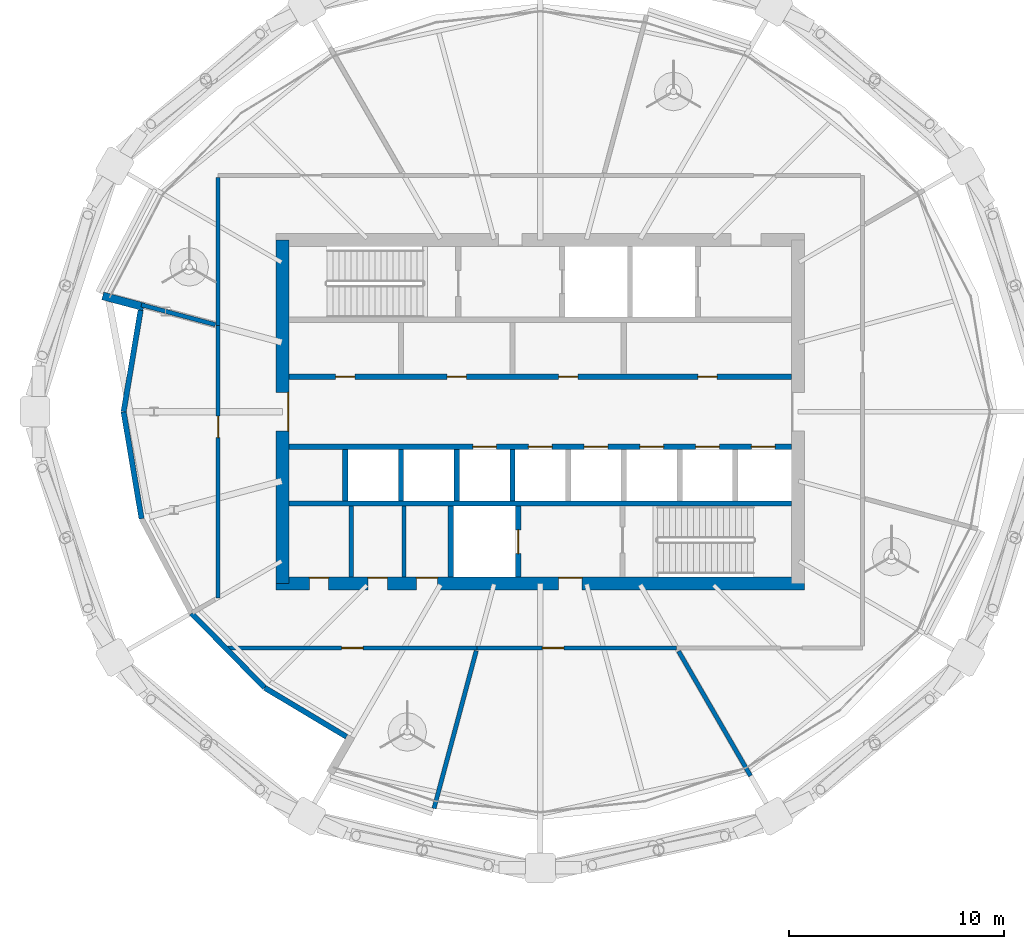
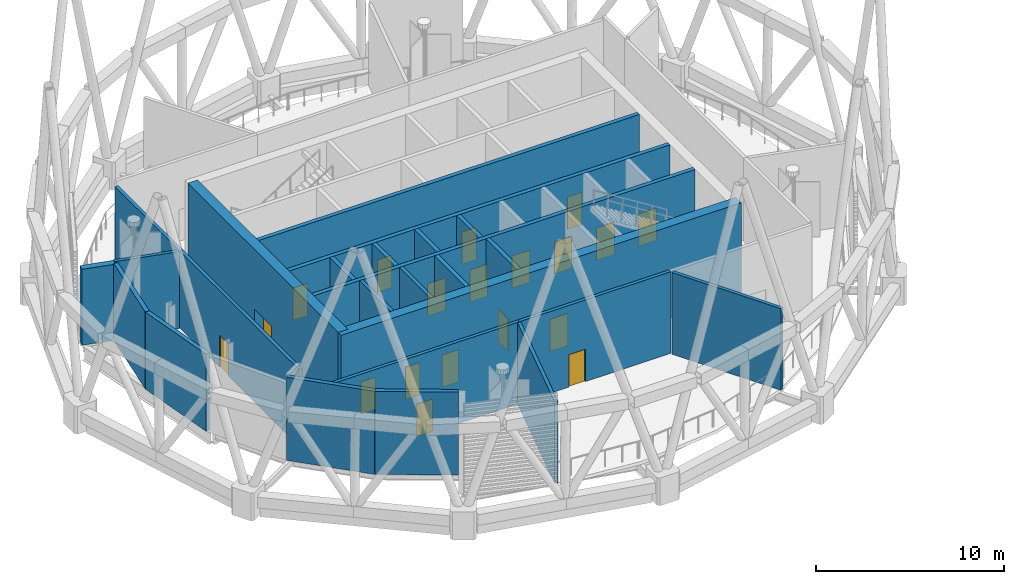
# One storey, part 10 of 22: 25 walls, 19 doors, 19 openings.
"""IFC4 building model written with IfcOpenShell, lengths in metres."""

from ifc_helpers import new_model, si_unit, direction, frame, frame_2d, origin, place, context, subcontext, project, spatial, rectangle, extrude, material, layer, layer_set, type_object, element, fill, save


model = new_model("IFC4")

# Units and contexts
model_context = context("Model", 3, precision=1e-05, world=origin(), true_north=direction((0.0, 1.0)))
body_context = subcontext(model_context, "Body", "Model", "MODEL_VIEW")
ifc_project = project(units=[si_unit("LENGTHUNIT", "METRE"), si_unit("AREAUNIT", "SQUARE_METRE"), si_unit("VOLUMEUNIT", "CUBIC_METRE"), si_unit("PLANEANGLEUNIT", "RADIAN"), si_unit("MASSUNIT", "GRAM", prefix="KILO")], contexts=[model_context])

# Site, building, storey
site_placement = place(None, origin())
site = spatial("IfcSite", under=ifc_project, at=site_placement, CompositionType="ELEMENT")
building_placement = place(site_placement, origin())
building = spatial("IfcBuilding", under=site, at=building_placement, Name="Rimbun Link Towers", CompositionType="ELEMENT")
storey_placement = place(building_placement, frame((0.0, 0.0, 204.5)))
storey = spatial("IfcBuildingStorey", under=building, at=storey_placement, Name="L50", CompositionType="ELEMENT", Elevation=204.5)

# Walls
ifc_material_1 = material(Name="Dark enamelled glass spandrel on insulated aluminium backpan", Category="aluminium")
ifc_layer_1 = layer(ifc_material_1, 0.25)
ifc_layer_set_1 = layer_set([ifc_layer_1], Name="CS dark enamelled spandrel wall 250")
wall_type_1 = type_object("IfcWallType", Name="CS dark enamelled spandrel wall 250", PredefinedType="STANDARD", material=ifc_layer_set_1)
wall_1_placement = place(storey_placement, frame((-51.1484375, 0.0, 0.0), z_axis=(0.0, 0.0, 1.0), x_axis=(0.165514123007, 0.98620741991, 0.0)))
element("IfcWall", 1, at=wall_1_placement, inside=storey, type_object=wall_type_1, Name="Crease spandrel wall", PredefinedType="STANDARD", context=body_context, shape_type="SweptSolid", body=[
    extrude(rectangle(XDim=4.79248046875, YDim=0.25, at=frame_2d((2.396240234375, 0.0))), origin(), (0.0, 0.0, 1.0), 5.00927734375),
])
wall_2_placement = place(storey_placement, frame((-50.312255859375, -4.982177734375, 0.0), z_axis=(0.0, 0.0, 1.0), x_axis=(-0.165519542221, 0.986206510394, 0.0)))
element("IfcWall", 2, at=wall_2_placement, inside=storey, type_object=wall_type_1, Name="Crease spandrel wall", PredefinedType="STANDARD", context=body_context, shape_type="SweptSolid", body=[
    extrude(rectangle(XDim=5.0517578125, YDim=0.25, at=frame_2d((2.52587890625, 0.0))), origin(), (0.0, 0.0, 1.0), 5.00927734375),
])
wall_3_placement = place(storey_placement, frame((-44.5810546875, -12.852294921875, 0.0), z_axis=(0.0, 0.0, 1.0), x_axis=(-0.700565408789, 0.713588192172, 0.0)))
element("IfcWall", 3, at=wall_3_placement, inside=storey, type_object=wall_type_1, Name="Crease spandrel wall", PredefinedType="STANDARD", context=body_context, shape_type="SweptSolid", body=[
    extrude(rectangle(XDim=4.85546875, YDim=0.25, at=frame_2d((2.427734375, 0.0))), origin(), (0.0, 0.0, 1.0), 5.396484375),
])
wall_4_placement = place(storey_placement, frame((-40.773681640625, -15.129638671875, 0.0), z_axis=(0.0, 0.0, 1.0), x_axis=(-0.858196185846, 0.513321835304, 0.0)))
element("IfcWall", 4, at=wall_4_placement, inside=storey, type_object=wall_type_1, Name="Crease spandrel wall", PredefinedType="STANDARD", context=body_context, shape_type="SweptSolid", body=[
    extrude(rectangle(XDim=4.4365234375, YDim=0.25, at=frame_2d((2.21826171875, 0.0))), origin(), (0.0, 0.0, 1.0), 5.396484375),
])
ifc_material_2 = material(Name="Dark enamelled glass spandrel on insulated aluminium backpan", Category="aluminium")
ifc_layer_2 = layer(ifc_material_2, 0.3701171875)
ifc_layer_set_2 = layer_set([ifc_layer_2], Name="CS dark enamelled spandrel wall 370")
wall_type_2 = type_object("IfcWallType", Name="CS dark enamelled spandrel wall 370", PredefinedType="STANDARD", material=ifc_layer_set_2)
wall_5_placement = place(storey_placement, frame((-50.209228515625, 4.87890625, 0.0), z_axis=(0.0, 0.0, 1.0), x_axis=(-0.965921079275, 0.258836760551, 0.0)))
element("IfcWall", 5, at=wall_5_placement, inside=storey, type_object=wall_type_2, Name="Crease spandrel wall", PredefinedType="STANDARD", context=body_context, shape_type="SweptSolid", body=[
    extrude(rectangle(XDim=1.979736328125, YDim=0.3701171875, at=frame_2d((0.98974609375, 0.0))), origin(), (0.0, 0.0, 1.0), 4.931640625),
])
ifc_material_3 = material(Name="Masonry blockwork", Category="masonry")
ifc_layer_3 = layer(ifc_material_3, 0.199951171875)
ifc_layer_set_3 = layer_set([ifc_layer_3], Name="Core partition 200")
wall_type_3 = type_object("IfcWallType", Name="Core partition 200", PredefinedType="PARTITIONING", material=ifc_layer_set_3)
for number, where, z_axis, x_axis, name in (
    (6, (-40.550048828125, -4.39990234375, 0.0), (0.0, 0.0, 1.0), (0.0, -1.0, 0.0), "L50 T1 core wall C1"),
    (7, (-38.10009765625, -4.39990234375, 0.0), (0.0, 0.0, 1.0), (0.0, -1.0, 0.0), "L50 T1 core wall C2"),
):
    element("IfcWall", number, at=place(storey_placement, frame(where, z_axis=z_axis, x_axis=x_axis)), inside=storey, type_object=wall_type_3, Name=name, PredefinedType="PARTITIONING", context=body_context, shape_type="SweptSolid", body=[
        extrude(rectangle(XDim=3.300048828125, YDim=0.199951171875, at=frame_2d((1.64990234375, 0.0))), origin(), (0.0, 0.0, 1.0), 6.0),
    ])

# Wall, openings, doors
ifc_material_4 = material(Name="Concrete C60/75", Category="concrete")
ifc_layer_4 = layer(ifc_material_4, 0.60009765625)
ifc_layer_set_4 = layer_set([ifc_layer_4], Name="Core shear wall 600")
wall_type_4 = type_object("IfcWallType", Name="Core shear wall 600", PredefinedType="SHEAR", material=ifc_layer_set_4)
wall_6_placement = place(storey_placement, frame((-44.050048828125, -8.0, 0.0), z_axis=(0.0, 0.0, 1.0), x_axis=(1.0, 0.0, 0.0)))
wall_6 = element("IfcWall", 8, at=wall_6_placement, inside=storey, type_object=wall_type_4, Name="L50 T1 core wall S", PredefinedType="SHEAR", context=body_context, shape_type="SweptSolid", body=[
    extrude(rectangle(XDim=24.60009765625, YDim=0.60009765625, at=frame_2d((12.300048828125, 0.0))), origin(), (0.0, 0.0, 1.0), 6.0),
])
opening_1_placement = place(wall_6_placement, frame((13.14990234375, 0.0, 0.0)))
opening_1 = element("IfcOpeningElement", 9, at=opening_1_placement, cuts=wall_6, Name="Opening C1DCF01S", PredefinedType="OPENING", context=body_context, shape_type="SweptSolid", body=[
    extrude(rectangle(XDim=1.10009765625, YDim=2.10009765625, at=frame_2d((0.550048828125, 1.050048828125))), frame((0.0, 0.31005859375, 0.0), z_axis=(0.0, -1.0, 0.0), x_axis=(1.0, 0.0, 0.0)), (0.0, 0.0, 1.0), 0.6201171875),
])
opening_2_placement = place(wall_6_placement, frame((1.550048828125, 0.0, 0.0)))
opening_2 = element("IfcOpeningElement", 10, at=opening_2_placement, cuts=wall_6, Name="Opening C1DWC02S", PredefinedType="OPENING", context=body_context, shape_type="SweptSolid", body=[
    extrude(rectangle(XDim=0.89990234375, YDim=2.10009765625, at=frame_2d((0.449951171875, 1.050048828125))), frame((0.0, 0.31005859375, 0.0), z_axis=(0.0, -1.0, 0.0), x_axis=(1.0, 0.0, 0.0)), (0.0, 0.0, 1.0), 0.6201171875),
])
opening_3_placement = place(wall_6_placement, frame((4.27490234375, 0.0, 0.0)))
opening_3 = element("IfcOpeningElement", 11, at=opening_3_placement, cuts=wall_6, Name="Opening C1DWC03S", PredefinedType="OPENING", context=body_context, shape_type="SweptSolid", body=[
    extrude(rectangle(XDim=0.89990234375, YDim=2.10009765625, at=frame_2d((0.449951171875, 1.050048828125))), frame((0.0, 0.31005859375, 0.0), z_axis=(0.0, -1.0, 0.0), x_axis=(1.0, 0.0, 0.0)), (0.0, 0.0, 1.0), 0.6201171875),
])
opening_4_placement = place(wall_6_placement, frame((6.52490234375, 0.0, 0.0)))
opening_4 = element("IfcOpeningElement", 12, at=opening_4_placement, cuts=wall_6, Name="Opening C1DAW04S", PredefinedType="OPENING", context=body_context, shape_type="SweptSolid", body=[
    extrude(rectangle(XDim=1.0, YDim=2.10009765625, at=frame_2d((0.5, 1.050048828125))), frame((0.0, 0.31005859375, 0.0), z_axis=(0.0, -1.0, 0.0), x_axis=(1.0, 0.0, 0.0)), (0.0, 0.0, 1.0), 0.6201171875),
])
ifc_material_5 = material(Name="Timber", Category="wood")
door_type_1 = type_object("IfcDoorType", Name="Accessible WC door", OperationType="SINGLE_SWING_LEFT", PredefinedType="DOOR", material=ifc_material_5)
door_1_placement = place(opening_4_placement, origin())
door_1 = element("IfcDoor", 13, at=door_1_placement, inside=storey, type_object=door_type_1, Name="L50 T1 accessible wc door", OperationType="SINGLE_SWING_RIGHT", OverallHeight=2.10009765625, OverallWidth=1.0, PredefinedType="DOOR", context=body_context, shape_type="SweptSolid", body=[
    extrude(rectangle(XDim=1.0, YDim=2.10009765625, at=frame_2d((0.5, 1.050048828125))), frame((0.0, 0.2998046875, 0.0), z_axis=(0.0, -1.0, 0.0), x_axis=(1.0, 0.0, 0.0)), (0.0, 0.0, 1.0), 0.050048828125),
])
fill(opening_4, door_1)
ifc_material_6 = material(Name="Steel fire door set", Category="steel")
door_type_2 = type_object("IfcDoorType", Name="Core fire door single", OperationType="SINGLE_SWING_LEFT", PredefinedType="DOOR", material=ifc_material_6)
door_2_placement = place(opening_1_placement, origin())
door_2 = element("IfcDoor", 14, at=door_2_placement, inside=storey, type_object=door_type_2, Name="L50 T1 firefighting lobby s door", OperationType="SINGLE_SWING_RIGHT", OverallHeight=2.10009765625, OverallWidth=1.10009765625, PredefinedType="DOOR", context=body_context, shape_type="SweptSolid", body=[
    extrude(rectangle(XDim=1.10009765625, YDim=2.10009765625, at=frame_2d((0.550048828125, 1.050048828125))), frame((0.0, 0.2998046875, 0.0), z_axis=(0.0, -1.0, 0.0), x_axis=(1.0, 0.0, 0.0)), (0.0, 0.0, 1.0), 0.050048828125),
])
fill(opening_1, door_2)
ifc_material_7 = material(Name="Timber", Category="wood")
door_type_3 = type_object("IfcDoorType", Name="WC door", OperationType="SINGLE_SWING_LEFT", PredefinedType="DOOR", material=ifc_material_7)
door_3_placement = place(opening_2_placement, origin())
door_3 = element("IfcDoor", 15, at=door_3_placement, inside=storey, type_object=door_type_3, Name="L50 T1 male wc door", OperationType="SINGLE_SWING_LEFT", OverallHeight=2.10009765625, OverallWidth=0.89990234375, PredefinedType="DOOR", context=body_context, shape_type="SweptSolid", body=[
    extrude(rectangle(XDim=0.89990234375, YDim=2.10009765625, at=frame_2d((0.449951171875, 1.050048828125))), frame((0.0, 0.2998046875, 0.0), z_axis=(0.0, -1.0, 0.0), x_axis=(1.0, 0.0, 0.0)), (0.0, 0.0, 1.0), 0.050048828125),
])
fill(opening_2, door_3)
door_4_placement = place(opening_3_placement, origin())
door_4 = element("IfcDoor", 16, at=door_4_placement, inside=storey, type_object=door_type_3, Name="L50 T1 female wc door", OperationType="SINGLE_SWING_RIGHT", OverallHeight=2.10009765625, OverallWidth=0.89990234375, PredefinedType="DOOR", context=body_context, shape_type="SweptSolid", body=[
    extrude(rectangle(XDim=0.89990234375, YDim=2.10009765625, at=frame_2d((0.449951171875, 1.050048828125))), frame((0.0, 0.2998046875, 0.0), z_axis=(0.0, -1.0, 0.0), x_axis=(1.0, 0.0, 0.0)), (0.0, 0.0, 1.0), 0.050048828125),
])
fill(opening_3, door_4)

# Wall, opening, door
wall_7_placement = place(storey_placement, frame((-43.75, -8.0, 0.0), z_axis=(0.0, 0.0, 1.0), x_axis=(0.0, 1.0, 0.0)))
wall_7 = element("IfcWall", 17, at=wall_7_placement, inside=storey, type_object=wall_type_4, Name="L50 T1 core wall W", PredefinedType="SHEAR", context=body_context, shape_type="SweptSolid", body=[
    extrude(rectangle(XDim=16.0, YDim=0.60009765625, at=frame_2d((8.0, 0.0))), origin(), (0.0, 0.0, 1.0), 6.0),
])
opening_5_placement = place(wall_7_placement, frame((7.10009765625, 0.0, 0.0)))
opening_5 = element("IfcOpeningElement", 18, at=opening_5_placement, cuts=wall_7, Name="Opening C1DCL01W", PredefinedType="OPENING", context=body_context, shape_type="SweptSolid", body=[
    extrude(rectangle(XDim=1.800048828125, YDim=2.10009765625, at=frame_2d((0.89990234375, 1.050048828125))), frame((0.0, 0.31005859375, 0.0), z_axis=(0.0, -1.0, 0.0), x_axis=(1.0, 0.0, 0.0)), (0.0, 0.0, 1.0), 0.6201171875),
])
ifc_material_8 = material(Name="Steel fire door set", Category="steel")
door_type_4 = type_object("IfcDoorType", Name="Core lobby door double", OperationType="DOUBLE_DOOR_SINGLE_SWING", PredefinedType="DOOR", material=ifc_material_8)
door_5_placement = place(opening_5_placement, origin())
door_5 = element("IfcDoor", 19, at=door_5_placement, inside=storey, type_object=door_type_4, Name="L50 T1 lift lobby door", OperationType="DOUBLE_DOOR_SINGLE_SWING", OverallHeight=2.10009765625, OverallWidth=1.800048828125, PredefinedType="DOOR", context=body_context, shape_type="SweptSolid", body=[
    extrude(rectangle(XDim=1.800048828125, YDim=2.10009765625, at=frame_2d((0.89990234375, 1.050048828125))), frame((0.0, -0.25, 0.0), z_axis=(0.0, -1.0, 0.0), x_axis=(1.0, 0.0, 0.0)), (0.0, 0.0, 1.0), 0.050048828125),
])
fill(opening_5, door_5)

ifc_material_9 = material(Name="Concrete blockwork", Category="masonry")
ifc_layer_5 = layer(ifc_material_9, 0.199951171875)
ifc_layer_set_5 = layer_set([ifc_layer_5], Name="Fire partition 200 blockwork")
wall_type_5 = type_object("IfcWallType", Name="Fire partition 200 blockwork", PredefinedType="PARTITIONING", material=ifc_layer_set_5)
wall_8_placement = place(storey_placement, frame((-46.304443359375, -11.0, 0.0), z_axis=(0.0, 0.0, 1.0), x_axis=(1.0, 0.0, 0.0)))
wall_8 = element("IfcWall", 20, at=wall_8_placement, inside=storey, type_object=wall_type_5, Name="TW/PW/L50/001", PredefinedType="PARTITIONING", context=body_context, shape_type="SweptSolid", body=[
    extrude(rectangle(XDim=11.60693359375, YDim=0.199951171875, at=frame_2d((5.803466796875, 0.0))), origin(), (0.0, 0.0, 1.0), 5.306884765625),
])
opening_6_placement = place(wall_8_placement, frame((5.302978515625, 0.0, 0.0)))
opening_6 = element("IfcOpeningElement", 21, at=opening_6_placement, cuts=wall_8, Name="Opening TW D50.01", PredefinedType="OPENING", context=body_context, shape_type="SweptSolid", body=[
    extrude(rectangle(XDim=1.0, YDim=2.10009765625, at=frame_2d((0.5, 1.050048828125))), frame((0.0, 0.10986328125, 0.0), z_axis=(0.0, -1.0, 0.0), x_axis=(1.0, 0.0, 0.0)), (0.0, 0.0, 1.0), 0.219970703125),
])
ifc_material_10 = material(Name="Steel fire door set", Category="steel")
door_type_5 = type_object("IfcDoorType", Name="Fire door single leaf 1000 x 2100", OperationType="NOTDEFINED", PredefinedType="DOOR", material=ifc_material_10)
door_6_placement = place(opening_6_placement, origin())
door_6 = element("IfcDoor", 22, at=door_6_placement, inside=storey, type_object=door_type_5, Name="TW/DR/L50/001", OperationType="SINGLE_SWING_RIGHT", OverallHeight=2.10009765625, OverallWidth=1.0, PredefinedType="DOOR", context=body_context, shape_type="SweptSolid", body=[
    extrude(rectangle(XDim=1.0, YDim=2.10009765625, at=frame_2d((0.5, 1.050048828125))), frame((0.0, 0.02490234375, 0.0), z_axis=(0.0, -1.0, 0.0), x_axis=(1.0, 0.0, 0.0)), (0.0, 0.0, 1.0), 0.050048828125),
])
fill(opening_6, door_6)

wall_9_placement = place(storey_placement, frame((-34.697509765625, -11.0, 0.0), z_axis=(0.0, 0.0, 1.0), x_axis=(1.0, 0.0, 0.0)))
wall_9 = element("IfcWall", 23, at=wall_9_placement, inside=storey, type_object=wall_type_5, Name="TW/PW/L50/002", PredefinedType="PARTITIONING", context=body_context, shape_type="SweptSolid", body=[
    extrude(rectangle(XDim=9.29833984375, YDim=0.199951171875, at=frame_2d((4.649169921875, 0.0))), origin(), (0.0, 0.0, 1.0), 5.306884765625),
])
opening_7_placement = place(wall_9_placement, frame((3.0390625, 0.0, 0.0)))
opening_7 = element("IfcOpeningElement", 24, at=opening_7_placement, cuts=wall_9, Name="Opening TW D50.02", PredefinedType="OPENING", context=body_context, shape_type="SweptSolid", body=[
    extrude(rectangle(XDim=1.0, YDim=2.10009765625, at=frame_2d((0.5, 1.050048828125))), frame((0.0, 0.10986328125, 0.0), z_axis=(0.0, -1.0, 0.0), x_axis=(1.0, 0.0, 0.0)), (0.0, 0.0, 1.0), 0.219970703125),
])
door_7_placement = place(opening_7_placement, origin())
door_7 = element("IfcDoor", 25, at=door_7_placement, inside=storey, type_object=door_type_5, Name="TW/DR/L50/002", OperationType="SINGLE_SWING_LEFT", OverallHeight=2.10009765625, OverallWidth=1.0, PredefinedType="DOOR", context=body_context, shape_type="SweptSolid", body=[
    extrude(rectangle(XDim=1.0, YDim=2.10009765625, at=frame_2d((0.5, 1.050048828125))), frame((0.0, 0.02490234375, 0.0), z_axis=(0.0, -1.0, 0.0), x_axis=(1.0, 0.0, 0.0)), (0.0, 0.0, 1.0), 0.050048828125),
])
fill(opening_7, door_7)

# Wall
wall_10_placement = place(storey_placement, frame((-46.75, 10.89990234375, 0.0), z_axis=(0.0, 0.0, 1.0), x_axis=(0.0, -1.0, 0.0)))
element("IfcWall", 26, at=wall_10_placement, inside=storey, type_object=wall_type_5, Name="TW/PW/L50/010", PredefinedType="PARTITIONING", context=body_context, shape_type="SweptSolid", body=[
    extrude(rectangle(XDim=6.880615234375, YDim=0.199951171875, at=frame_2d((3.4404296875, 0.0))), origin(), (0.0, 0.0, 1.0), 4.9990234375),
])

# Wall, opening, door
wall_11_placement = place(storey_placement, frame((-46.75, 4.019287109375, 0.0), z_axis=(0.0, 0.0, 1.0), x_axis=(0.0, -1.0, 0.0)))
wall_11 = element("IfcWall", 27, at=wall_11_placement, inside=storey, type_object=wall_type_5, Name="TW/PW/L50/011", PredefinedType="PARTITIONING", context=body_context, shape_type="SweptSolid", body=[
    extrude(rectangle(XDim=12.6796875, YDim=0.199951171875, at=frame_2d((6.33984375, 0.0))), origin(), (0.0, 0.0, 1.0), 4.9990234375),
])
opening_8_placement = place(wall_11_placement, frame((4.222900390625, 0.0, 0.0)))
opening_8 = element("IfcOpeningElement", 28, at=opening_8_placement, cuts=wall_11, Name="Opening TW D50.08", PredefinedType="OPENING", context=body_context, shape_type="SweptSolid", body=[
    extrude(rectangle(XDim=1.0, YDim=2.10009765625, at=frame_2d((0.5, 1.050048828125))), frame((0.0, 0.10986328125, 0.0), z_axis=(0.0, -1.0, 0.0), x_axis=(1.0, 0.0, 0.0)), (0.0, 0.0, 1.0), 0.219970703125),
])
door_8_placement = place(opening_8_placement, origin())
door_8 = element("IfcDoor", 29, at=door_8_placement, inside=storey, type_object=door_type_5, Name="TW/DR/L50/008", OperationType="SINGLE_SWING_LEFT", OverallHeight=2.10009765625, OverallWidth=1.0, PredefinedType="DOOR", context=body_context, shape_type="SweptSolid", body=[
    extrude(rectangle(XDim=1.0, YDim=2.10009765625, at=frame_2d((0.5, 1.050048828125))), frame((0.0, 0.02490234375, 0.0), z_axis=(0.0, -1.0, 0.0), x_axis=(1.0, 0.0, 0.0)), (0.0, 0.0, 1.0), 0.050048828125),
])
fill(opening_8, door_8)

# Walls
wall_12_placement = place(storey_placement, frame((-36.699462890625, -18.471435546875, 0.0), z_axis=(0.0, 0.0, 1.0), x_axis=(0.258825414689, 0.965924119541, 0.0)))
element("IfcWall", 30, at=wall_12_placement, inside=storey, type_object=wall_type_5, Name="TW/PW/L50/013", PredefinedType="PARTITIONING", context=body_context, shape_type="SweptSolid", body=[
    extrude(rectangle(XDim=7.6044921875, YDim=0.199951171875, at=frame_2d((3.80224609375, 0.0))), origin(), (0.0, 0.0, 1.0), 5.306884765625),
])
wall_13_placement = place(storey_placement, frame((-21.96337890625, -16.950927734375, 0.0), z_axis=(0.0, 0.0, 1.0), x_axis=(-0.499988525892, 0.866032028263, 0.0)))
element("IfcWall", 31, at=wall_13_placement, inside=storey, type_object=wall_type_5, Name="TW/PW/L50/014", PredefinedType="PARTITIONING", context=body_context, shape_type="SweptSolid", body=[
    extrude(rectangle(XDim=6.698486328125, YDim=0.199951171875, at=frame_2d((3.34912109375, 0.0))), origin(), (0.0, 0.0, 1.0), 5.306884765625),
])
wall_14_placement = place(storey_placement, frame((-50.318115234375, 4.975341796875, 0.0), z_axis=(0.0, 0.0, 1.0), x_axis=(0.965922669003, -0.258830827966, 0.0)))
element("IfcWall", 32, at=wall_14_placement, inside=storey, type_object=wall_type_5, Name="TW/PW/L50/019", PredefinedType="PARTITIONING", context=body_context, shape_type="SweptSolid", body=[
    extrude(rectangle(XDim=3.5634765625, YDim=0.199951171875, at=frame_2d((1.78173828125, 0.0))), origin(), (0.0, 0.0, 1.0), 4.9990234375),
])
ifc_material_11 = material(Name="Concrete C60/75", Category="concrete")
ifc_layer_6 = layer(ifc_material_11, 0.25)
ifc_layer_set_6 = layer_set([ifc_layer_6], Name="Shaft wall 250")
wall_type_6 = type_object("IfcWallType", Name="Shaft wall 250", PredefinedType="SHEAR", material=ifc_layer_set_6)
wall_15_placement = place(storey_placement, frame((-43.449951171875, -4.27490234375, 0.0), z_axis=(0.0, 0.0, 1.0), x_axis=(1.0, 0.0, 0.0)))
element("IfcWall", 33, at=wall_15_placement, inside=storey, type_object=wall_type_6, Name="L50 T1 core wall BS", PredefinedType="SHEAR", context=body_context, shape_type="SweptSolid", body=[
    extrude(rectangle(XDim=23.39990234375, YDim=0.25, at=frame_2d((11.699951171875, 0.0))), origin(), (0.0, 0.0, 1.0), 6.0),
])

# Wall, openings, doors
wall_16_placement = place(storey_placement, frame((-43.449951171875, 1.625, 0.0), z_axis=(0.0, 0.0, 1.0), x_axis=(1.0, 0.0, 0.0)))
wall_16 = element("IfcWall", 34, at=wall_16_placement, inside=storey, type_object=wall_type_6, Name="L50 T1 core wall FN", PredefinedType="SHEAR", context=body_context, shape_type="SweptSolid", body=[
    extrude(rectangle(XDim=23.39990234375, YDim=0.25, at=frame_2d((11.699951171875, 0.0))), origin(), (0.0, 0.0, 1.0), 6.0),
])
opening_9_placement = place(wall_16_placement, frame((2.16943359375, 0.0, 0.0)))
opening_9 = element("IfcOpeningElement", 35, at=opening_9_placement, cuts=wall_16, Name="Opening C1DRS01FN", PredefinedType="OPENING", context=body_context, shape_type="SweptSolid", body=[
    extrude(rectangle(XDim=0.89990234375, YDim=2.10009765625, at=frame_2d((0.449951171875, 1.050048828125))), frame((0.0, 0.135009765625, 0.0), z_axis=(0.0, -1.0, 0.0), x_axis=(1.0, 0.0, 0.0)), (0.0, 0.0, 1.0), 0.27001953125),
])
opening_10_placement = place(wall_16_placement, frame((7.3583984375, 0.0, 0.0)))
opening_10 = element("IfcOpeningElement", 36, at=opening_10_placement, cuts=wall_16, Name="Opening C1DRS02FN", PredefinedType="OPENING", context=body_context, shape_type="SweptSolid", body=[
    extrude(rectangle(XDim=0.89990234375, YDim=2.10009765625, at=frame_2d((0.449951171875, 1.050048828125))), frame((0.0, 0.135009765625, 0.0), z_axis=(0.0, -1.0, 0.0), x_axis=(1.0, 0.0, 0.0)), (0.0, 0.0, 1.0), 0.27001953125),
])
opening_11_placement = place(wall_16_placement, frame((12.547119140625, 0.0, 0.0)))
opening_11 = element("IfcOpeningElement", 37, at=opening_11_placement, cuts=wall_16, Name="Opening C1DRS03FN", PredefinedType="OPENING", context=body_context, shape_type="SweptSolid", body=[
    extrude(rectangle(XDim=0.89990234375, YDim=2.10009765625, at=frame_2d((0.449951171875, 1.050048828125))), frame((0.0, 0.135009765625, 0.0), z_axis=(0.0, -1.0, 0.0), x_axis=(1.0, 0.0, 0.0)), (0.0, 0.0, 1.0), 0.27001953125),
])
opening_12_placement = place(wall_16_placement, frame((19.033203125, 0.0, 0.0)))
opening_12 = element("IfcOpeningElement", 38, at=opening_12_placement, cuts=wall_16, Name="Opening C1DRS04FN", PredefinedType="OPENING", context=body_context, shape_type="SweptSolid", body=[
    extrude(rectangle(XDim=0.89990234375, YDim=2.10009765625, at=frame_2d((0.449951171875, 1.050048828125))), frame((0.0, 0.135009765625, 0.0), z_axis=(0.0, -1.0, 0.0), x_axis=(1.0, 0.0, 0.0)), (0.0, 0.0, 1.0), 0.27001953125),
])
ifc_material_12 = material(Name="Steel fire door set", Category="steel")
door_type_6 = type_object("IfcDoorType", Name="Core riser door", OperationType="SINGLE_SWING_LEFT", PredefinedType="DOOR", material=ifc_material_12)
door_9_placement = place(opening_9_placement, origin())
door_9 = element("IfcDoor", 39, at=door_9_placement, inside=storey, type_object=door_type_6, Name="L50 T1 pantry door", OperationType="SINGLE_SWING_RIGHT", OverallHeight=2.10009765625, OverallWidth=0.89990234375, PredefinedType="DOOR", context=body_context, shape_type="SweptSolid", body=[
    extrude(rectangle(XDim=0.89990234375, YDim=2.10009765625, at=frame_2d((0.449951171875, 1.050048828125))), frame((0.0, 0.02490234375, 0.0), z_axis=(0.0, -1.0, 0.0), x_axis=(1.0, 0.0, 0.0)), (0.0, 0.0, 1.0), 0.050048828125),
])
fill(opening_9, door_9)
door_10_placement = place(opening_10_placement, origin())
door_10 = element("IfcDoor", 40, at=door_10_placement, inside=storey, type_object=door_type_6, Name="L50 T1 first aid room door", OperationType="SINGLE_SWING_LEFT", OverallHeight=2.10009765625, OverallWidth=0.89990234375, PredefinedType="DOOR", context=body_context, shape_type="SweptSolid", body=[
    extrude(rectangle(XDim=0.89990234375, YDim=2.10009765625, at=frame_2d((0.449951171875, 1.050048828125))), frame((0.0, 0.02490234375, 0.0), z_axis=(0.0, -1.0, 0.0), x_axis=(1.0, 0.0, 0.0)), (0.0, 0.0, 1.0), 0.050048828125),
])
fill(opening_10, door_10)
door_11_placement = place(opening_11_placement, origin())
door_11 = element("IfcDoor", 41, at=door_11_placement, inside=storey, type_object=door_type_6, Name="L50 T1 mail room door", OperationType="SINGLE_SWING_LEFT", OverallHeight=2.10009765625, OverallWidth=0.89990234375, PredefinedType="DOOR", context=body_context, shape_type="SweptSolid", body=[
    extrude(rectangle(XDim=0.89990234375, YDim=2.10009765625, at=frame_2d((0.449951171875, 1.050048828125))), frame((0.0, 0.02490234375, 0.0), z_axis=(0.0, -1.0, 0.0), x_axis=(1.0, 0.0, 0.0)), (0.0, 0.0, 1.0), 0.050048828125),
])
fill(opening_11, door_11)
door_12_placement = place(opening_12_placement, origin())
door_12 = element("IfcDoor", 42, at=door_12_placement, inside=storey, type_object=door_type_6, Name="L50 T1 wellness room door", OperationType="SINGLE_SWING_LEFT", OverallHeight=2.10009765625, OverallWidth=0.89990234375, PredefinedType="DOOR", context=body_context, shape_type="SweptSolid", body=[
    extrude(rectangle(XDim=0.89990234375, YDim=2.10009765625, at=frame_2d((0.449951171875, 1.050048828125))), frame((0.0, 0.02490234375, 0.0), z_axis=(0.0, -1.0, 0.0), x_axis=(1.0, 0.0, 0.0)), (0.0, 0.0, 1.0), 0.050048828125),
])
fill(opening_12, door_12)

wall_17_placement = place(storey_placement, frame((-43.449951171875, -1.625, 0.0), z_axis=(0.0, 0.0, 1.0), x_axis=(1.0, 0.0, 0.0)))
wall_17 = element("IfcWall", 43, at=wall_17_placement, inside=storey, type_object=wall_type_6, Name="L50 T1 core wall FS", PredefinedType="SHEAR", context=body_context, shape_type="SweptSolid", body=[
    extrude(rectangle(XDim=23.39990234375, YDim=0.25, at=frame_2d((11.699951171875, 0.0))), origin(), (0.0, 0.0, 1.0), 6.0),
])
opening_13_placement = place(wall_17_placement, frame((8.5556640625, 0.0, 0.0)))
opening_13 = element("IfcOpeningElement", 44, at=opening_13_placement, cuts=wall_17, Name="Opening LD-T1-HR1", PredefinedType="OPENING", context=body_context, shape_type="SweptSolid", body=[
    extrude(rectangle(XDim=1.10009765625, YDim=2.10009765625, at=frame_2d((0.550048828125, 1.050048828125))), frame((0.0, 0.135009765625, 0.0), z_axis=(0.0, -1.0, 0.0), x_axis=(1.0, 0.0, 0.0)), (0.0, 0.0, 1.0), 0.27001953125),
])
opening_14_placement = place(wall_17_placement, frame((11.14990234375, 0.0, 0.0)))
opening_14 = element("IfcOpeningElement", 45, at=opening_14_placement, cuts=wall_17, Name="Opening LD-T1-HR2", PredefinedType="OPENING", context=body_context, shape_type="SweptSolid", body=[
    extrude(rectangle(XDim=1.10009765625, YDim=2.10009765625, at=frame_2d((0.550048828125, 1.050048828125))), frame((0.0, 0.135009765625, 0.0), z_axis=(0.0, -1.0, 0.0), x_axis=(1.0, 0.0, 0.0)), (0.0, 0.0, 1.0), 0.27001953125),
])
opening_15_placement = place(wall_17_placement, frame((13.744384765625, 0.0, 0.0)))
opening_15 = element("IfcOpeningElement", 46, at=opening_15_placement, cuts=wall_17, Name="Opening LD-T1-HR3", PredefinedType="OPENING", context=body_context, shape_type="SweptSolid", body=[
    extrude(rectangle(XDim=1.10009765625, YDim=2.10009765625, at=frame_2d((0.550048828125, 1.050048828125))), frame((0.0, 0.135009765625, 0.0), z_axis=(0.0, -1.0, 0.0), x_axis=(1.0, 0.0, 0.0)), (0.0, 0.0, 1.0), 0.27001953125),
])
opening_16_placement = place(wall_17_placement, frame((16.3388671875, 0.0, 0.0)))
opening_16 = element("IfcOpeningElement", 47, at=opening_16_placement, cuts=wall_17, Name="Opening LD-T1-HR4", PredefinedType="OPENING", context=body_context, shape_type="SweptSolid", body=[
    extrude(rectangle(XDim=1.10009765625, YDim=2.10009765625, at=frame_2d((0.550048828125, 1.050048828125))), frame((0.0, 0.135009765625, 0.0), z_axis=(0.0, -1.0, 0.0), x_axis=(1.0, 0.0, 0.0)), (0.0, 0.0, 1.0), 0.27001953125),
])
opening_17_placement = place(wall_17_placement, frame((18.933349609375, 0.0, 0.0)))
opening_17 = element("IfcOpeningElement", 48, at=opening_17_placement, cuts=wall_17, Name="Opening LD-T1-HR5", PredefinedType="OPENING", context=body_context, shape_type="SweptSolid", body=[
    extrude(rectangle(XDim=1.10009765625, YDim=2.10009765625, at=frame_2d((0.550048828125, 1.050048828125))), frame((0.0, 0.135009765625, 0.0), z_axis=(0.0, -1.0, 0.0), x_axis=(1.0, 0.0, 0.0)), (0.0, 0.0, 1.0), 0.27001953125),
])
opening_18_placement = place(wall_17_placement, frame((21.52783203125, 0.0, 0.0)))
opening_18 = element("IfcOpeningElement", 49, at=opening_18_placement, cuts=wall_17, Name="Opening LD-T1-HR6", PredefinedType="OPENING", context=body_context, shape_type="SweptSolid", body=[
    extrude(rectangle(XDim=1.10009765625, YDim=2.10009765625, at=frame_2d((0.550048828125, 1.050048828125))), frame((0.0, 0.135009765625, 0.0), z_axis=(0.0, -1.0, 0.0), x_axis=(1.0, 0.0, 0.0)), (0.0, 0.0, 1.0), 0.27001953125),
])
ifc_material_13 = material(Name="Stainless steel grade 316", Category="steel")
door_type_7 = type_object("IfcDoorType", Name="Lift landing door", OperationType="DOUBLE_DOOR_SLIDING", PredefinedType="DOOR", material=ifc_material_13)
door_13_placement = place(opening_13_placement, origin())
door_13 = element("IfcDoor", 50, at=door_13_placement, inside=storey, type_object=door_type_7, Name="L50 T1 lift HR1 landing door", OperationType="DOUBLE_DOOR_SLIDING", OverallHeight=2.10009765625, OverallWidth=1.10009765625, PredefinedType="DOOR", context=body_context, shape_type="SweptSolid", body=[
    extrude(rectangle(XDim=1.10009765625, YDim=2.10009765625, at=frame_2d((0.550048828125, 1.050048828125))), frame((0.0, 0.02490234375, 0.0), z_axis=(0.0, -1.0, 0.0), x_axis=(1.0, 0.0, 0.0)), (0.0, 0.0, 1.0), 0.050048828125),
])
fill(opening_13, door_13)
door_14_placement = place(opening_14_placement, origin())
door_14 = element("IfcDoor", 51, at=door_14_placement, inside=storey, type_object=door_type_7, Name="L50 T1 lift HR2 landing door", OperationType="DOUBLE_DOOR_SLIDING", OverallHeight=2.10009765625, OverallWidth=1.10009765625, PredefinedType="DOOR", context=body_context, shape_type="SweptSolid", body=[
    extrude(rectangle(XDim=1.10009765625, YDim=2.10009765625, at=frame_2d((0.550048828125, 1.050048828125))), frame((0.0, 0.02490234375, 0.0), z_axis=(0.0, -1.0, 0.0), x_axis=(1.0, 0.0, 0.0)), (0.0, 0.0, 1.0), 0.050048828125),
])
fill(opening_14, door_14)
door_15_placement = place(opening_15_placement, origin())
door_15 = element("IfcDoor", 52, at=door_15_placement, inside=storey, type_object=door_type_7, Name="L50 T1 lift HR3 landing door", OperationType="DOUBLE_DOOR_SLIDING", OverallHeight=2.10009765625, OverallWidth=1.10009765625, PredefinedType="DOOR", context=body_context, shape_type="SweptSolid", body=[
    extrude(rectangle(XDim=1.10009765625, YDim=2.10009765625, at=frame_2d((0.550048828125, 1.050048828125))), frame((0.0, 0.02490234375, 0.0), z_axis=(0.0, -1.0, 0.0), x_axis=(1.0, 0.0, 0.0)), (0.0, 0.0, 1.0), 0.050048828125),
])
fill(opening_15, door_15)
door_16_placement = place(opening_16_placement, origin())
door_16 = element("IfcDoor", 53, at=door_16_placement, inside=storey, type_object=door_type_7, Name="L50 T1 lift HR4 landing door", OperationType="DOUBLE_DOOR_SLIDING", OverallHeight=2.10009765625, OverallWidth=1.10009765625, PredefinedType="DOOR", context=body_context, shape_type="SweptSolid", body=[
    extrude(rectangle(XDim=1.10009765625, YDim=2.10009765625, at=frame_2d((0.550048828125, 1.050048828125))), frame((0.0, 0.02490234375, 0.0), z_axis=(0.0, -1.0, 0.0), x_axis=(1.0, 0.0, 0.0)), (0.0, 0.0, 1.0), 0.050048828125),
])
fill(opening_16, door_16)
door_17_placement = place(opening_17_placement, origin())
door_17 = element("IfcDoor", 54, at=door_17_placement, inside=storey, type_object=door_type_7, Name="L50 T1 lift HR5 landing door", OperationType="DOUBLE_DOOR_SLIDING", OverallHeight=2.10009765625, OverallWidth=1.10009765625, PredefinedType="DOOR", context=body_context, shape_type="SweptSolid", body=[
    extrude(rectangle(XDim=1.10009765625, YDim=2.10009765625, at=frame_2d((0.550048828125, 1.050048828125))), frame((0.0, 0.02490234375, 0.0), z_axis=(0.0, -1.0, 0.0), x_axis=(1.0, 0.0, 0.0)), (0.0, 0.0, 1.0), 0.050048828125),
])
fill(opening_17, door_17)
door_18_placement = place(opening_18_placement, origin())
door_18 = element("IfcDoor", 55, at=door_18_placement, inside=storey, type_object=door_type_7, Name="L50 T1 lift HR6 landing door", OperationType="DOUBLE_DOOR_SLIDING", OverallHeight=2.10009765625, OverallWidth=1.10009765625, PredefinedType="DOOR", context=body_context, shape_type="SweptSolid", body=[
    extrude(rectangle(XDim=1.10009765625, YDim=2.10009765625, at=frame_2d((0.550048828125, 1.050048828125))), frame((0.0, 0.02490234375, 0.0), z_axis=(0.0, -1.0, 0.0), x_axis=(1.0, 0.0, 0.0)), (0.0, 0.0, 1.0), 0.050048828125),
])
fill(opening_18, door_18)

# Walls
for number, where, z_axis, x_axis, name in (
    (56, (-40.83056640625, -4.14990234375, 0.0), (0.0, 0.0, 1.0), (0.0, 1.0, 0.0), "L50 T1 core wall DS0"),
    (57, (-38.236083984375, -4.14990234375, 0.0), (0.0, 0.0, 1.0), (0.0, 1.0, 0.0), "L50 T1 core wall DS1"),
    (58, (-35.6416015625, -4.14990234375, 0.0), (0.0, 0.0, 1.0), (0.0, 1.0, 0.0), "L50 T1 core wall DS2"),
    (59, (-33.047119140625, -4.14990234375, 0.0), (0.0, 0.0, 1.0), (0.0, 1.0, 0.0), "L50 T1 core wall DS3"),
):
    element("IfcWall", number, at=place(storey_placement, frame(where, z_axis=z_axis, x_axis=x_axis)), inside=storey, type_object=wall_type_6, Name=name, PredefinedType="SHEAR", context=body_context, shape_type="SweptSolid", body=[
        extrude(rectangle(XDim=2.39990234375, YDim=0.25, at=frame_2d((1.199951171875, 0.0))), origin(), (0.0, 0.0, 1.0), 6.0),
    ])

# Wall, opening, door
wall_18_placement = place(storey_placement, frame((-32.77490234375, -4.39990234375, 0.0), z_axis=(0.0, 0.0, 1.0), x_axis=(0.0, -1.0, 0.0)))
wall_18 = element("IfcWall", 60, at=wall_18_placement, inside=storey, type_object=wall_type_6, Name="L50 T1 core wall B2", PredefinedType="SHEAR", context=body_context, shape_type="SweptSolid", body=[
    extrude(rectangle(XDim=3.300048828125, YDim=0.25, at=frame_2d((1.64990234375, 0.0))), origin(), (0.0, 0.0, 1.0), 6.0),
])
opening_19_placement = place(wall_18_placement, frame((1.10009765625, 0.0, 0.0)))
opening_19 = element("IfcOpeningElement", 61, at=opening_19_placement, cuts=wall_18, Name="Opening LD-T1-FF2", PredefinedType="OPENING", context=body_context, shape_type="SweptSolid", body=[
    extrude(rectangle(XDim=1.10009765625, YDim=2.10009765625, at=frame_2d((0.550048828125, 1.050048828125))), frame((0.0, 0.135009765625, 0.0), z_axis=(0.0, -1.0, 0.0), x_axis=(1.0, 0.0, 0.0)), (0.0, 0.0, 1.0), 0.27001953125),
])
door_19_placement = place(opening_19_placement, origin())
door_19 = element("IfcDoor", 62, at=door_19_placement, inside=storey, type_object=door_type_7, Name="L50 T1 lift FF2 landing door", OperationType="DOUBLE_DOOR_SLIDING", OverallHeight=2.10009765625, OverallWidth=1.10009765625, PredefinedType="DOOR", context=body_context, shape_type="SweptSolid", body=[
    extrude(rectangle(XDim=1.10009765625, YDim=2.10009765625, at=frame_2d((0.550048828125, 1.050048828125))), frame((0.0, 0.02490234375, 0.0), z_axis=(0.0, -1.0, 0.0), x_axis=(1.0, 0.0, 0.0)), (0.0, 0.0, 1.0), 0.050048828125),
])
fill(opening_19, door_19)

# Wall
wall_19_placement = place(storey_placement, frame((-35.925048828125, -4.39990234375, 0.0), z_axis=(0.0, 0.0, 1.0), x_axis=(0.0, -1.0, 0.0)))
element("IfcWall", 63, at=wall_19_placement, inside=storey, type_object=wall_type_6, Name="L50 T1 core wall B3", PredefinedType="SHEAR", context=body_context, shape_type="SweptSolid", body=[
    extrude(rectangle(XDim=3.300048828125, YDim=0.25, at=frame_2d((1.64990234375, 0.0))), origin(), (0.0, 0.0, 1.0), 6.0),
])

save(model, "model.ifc")
